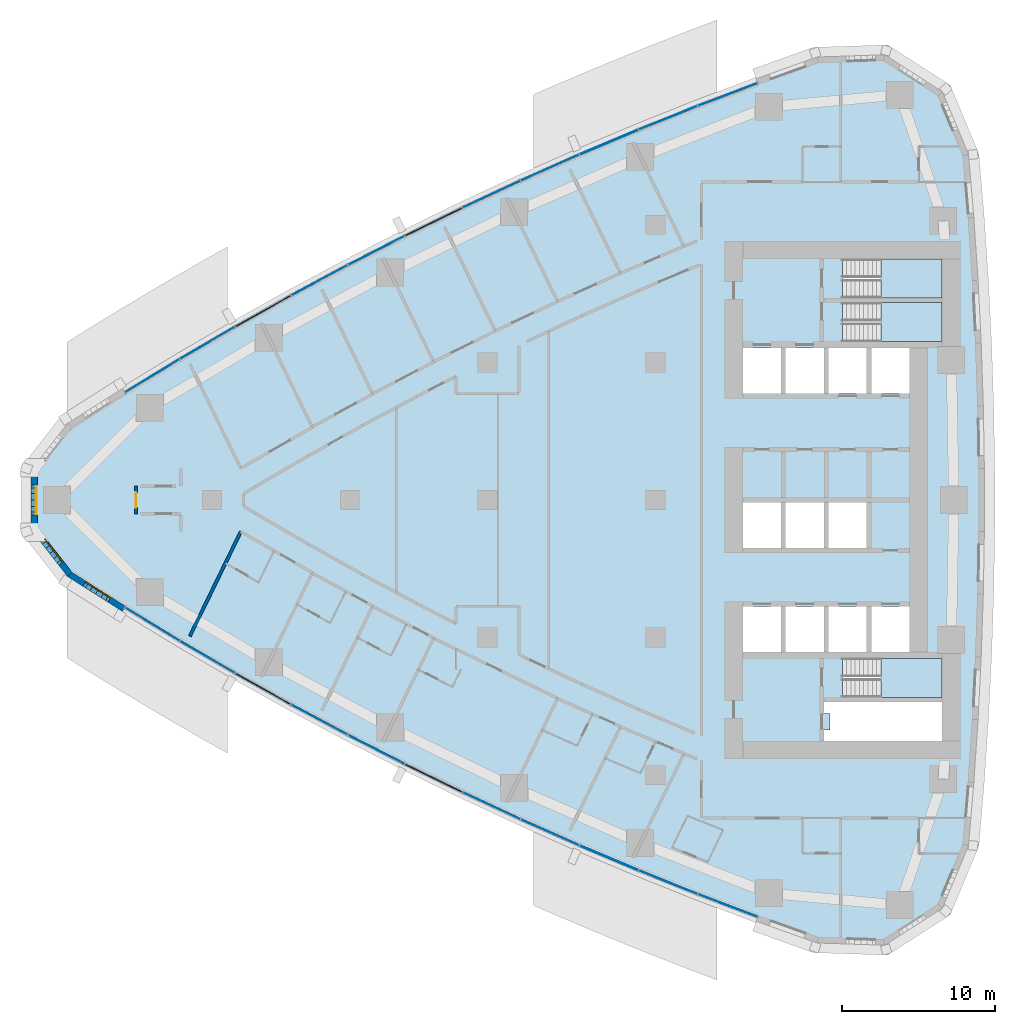
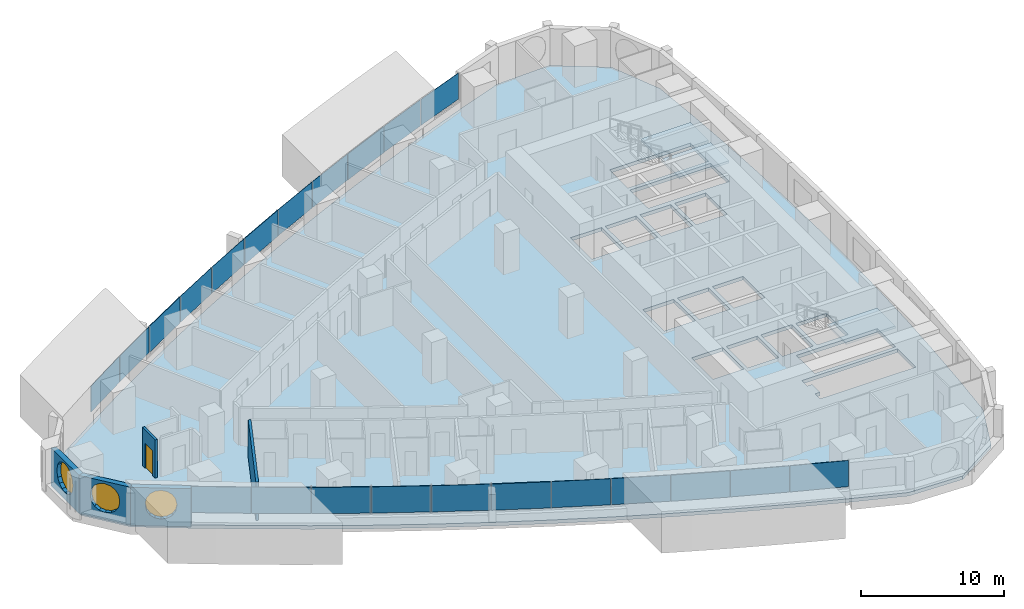
# One storey, part 8 of 19: 22 plates, 5 walls, 4 slabs, 3 windows, 1 door, 5 openings, 13 elements without a shape of their own.
"""IFC4 building model written with IfcOpenShell, lengths in metres."""

import ifcopenshell
import ifcopenshell.guid

model = None  # the IFC model being written
_history = None  # IfcOwnerHistory: only IFC2X3 demands one
_inside = {}  # id of a spatial element -> (the spatial element, [elements in it])
_under = {}  # id of a project, library or spatial element -> (it, [spatial elements below it])
_declared = {}  # id of a project -> (the project, [libraries it declares])
_typed = {}  # id of a type object -> (the type object, [elements of that type])
_made_of = {}  # id of a material, layer set ... -> (it, [elements and type objects made of it])


def new_model(schema):
    """Start an empty IFC model of exactly this schema.

    Asked for "IFC4X3", IfcOpenShell would pick the latest addendum, in which some entities
    have other attributes; the version numbers below select the first issue.
    IFC2X3 requires an IfcOwnerHistory on every rooted entity: one is made here for all.
    """
    global model, _history
    if schema == "IFC4X3":
        model = ifcopenshell.file(schema_version=(4, 3, 0, 0))
    else:
        model = ifcopenshell.file(schema=schema)
    _inside.clear()
    _under.clear()
    _declared.clear()
    _typed.clear()
    _made_of.clear()
    _history = None
    if model.schema == "IFC2X3":
        org = make("IfcOrganization", Name="unknown")
        user = make(
            "IfcPersonAndOrganization",
            ThePerson=make("IfcPerson", FamilyName="unknown"),
            TheOrganization=org,
        )
        app = make(
            "IfcApplication",
            ApplicationDeveloper=org,
            Version="unknown",
            ApplicationFullName="unknown",
            ApplicationIdentifier="unknown",
        )
        _history = make(
            "IfcOwnerHistory",
            OwningUser=user,
            OwningApplication=app,
            ChangeAction="ADDED",
            CreationDate=0,
        )
    return model


def make(cls, **values):
    """One entity of the class cls with the attributes given. An attribute that is None is left unset."""
    return model.create_entity(
        cls, **{name: value for name, value in values.items() if value is not None}
    )


def rooted(cls, **values):
    """An entity with a GlobalId (a new one), such as an element, a storey or a relation."""
    return make(cls, GlobalId=ifcopenshell.guid.new(), OwnerHistory=_history, **values)


def si_unit(unit_type, name, prefix=None):
    """IfcSIUnit, for example si_unit("LENGTHUNIT", "METRE", prefix="MILLI")."""
    return make("IfcSIUnit", UnitType=unit_type, Prefix=prefix, Name=name)


def assignment(units):
    """IfcUnitAssignment: the units of a project."""
    return None if units is None else make("IfcUnitAssignment", Units=units)


def point(xyz):
    """IfcCartesianPoint."""
    return None if xyz is None else make("IfcCartesianPoint", Coordinates=xyz)


def direction(xyz):
    """IfcDirection."""
    return None if xyz is None else make("IfcDirection", DirectionRatios=xyz)


def frame(location, z_axis=None, x_axis=None):
    """IfcAxis2Placement3D, a coordinate frame: its origin and axes. An axis left out is left unset."""
    return make(
        "IfcAxis2Placement3D",
        Location=point(location),
        Axis=direction(z_axis),
        RefDirection=direction(x_axis),
    )


def frame_2d(location, x_axis=None):
    """IfcAxis2Placement2D, a coordinate frame in the plane: its origin and x axis."""
    return make(
        "IfcAxis2Placement2D", Location=point(location), RefDirection=direction(x_axis)
    )


def origin():
    """The frame at (0, 0, 0) with its axes left unset."""
    return frame((0.0, 0.0, 0.0))


def origin_2d():
    """The frame at (0, 0) in the plane with its x axis left unset."""
    return frame_2d((0.0, 0.0))


def place(relative_to, where):
    """IfcLocalPlacement: puts the frame where relative to a parent placement (None: the world)."""
    return make(
        "IfcLocalPlacement", PlacementRelTo=relative_to, RelativePlacement=where
    )


def context(
    kind, dimensions, precision=None, world=None, true_north=None, identifier=None
):
    """IfcGeometricRepresentationContext, for example the 3D "Model" context."""
    return make(
        "IfcGeometricRepresentationContext",
        ContextIdentifier=identifier,
        ContextType=kind,
        CoordinateSpaceDimension=dimensions,
        Precision=precision,
        WorldCoordinateSystem=world,
        TrueNorth=true_north,
    )


def subcontext(parent, identifier, kind, view, scale=None):
    """IfcGeometricRepresentationSubContext, for example "Body" below "Model"."""
    return make(
        "IfcGeometricRepresentationSubContext",
        ContextIdentifier=identifier,
        ContextType=kind,
        ParentContext=parent,
        TargetScale=scale,
        TargetView=view,
    )


def project(units=None, contexts=None):
    """IfcProject with its units and contexts."""
    return rooted(
        "IfcProject",
        Name="project",
        RepresentationContexts=contexts,
        UnitsInContext=assignment(units),
    )


def spatial(cls, under=None, at=None, **own):
    """A site, building, storey or space (cls), placed at a placement, below another one or the project."""
    s = rooted(cls, ObjectPlacement=at, **own)
    if under is not None:
        _under.setdefault(under.id(), (under, []))[1].append(s)
    return s


def polyline(points):
    """IfcPolyline through the points."""
    return make("IfcPolyline", Points=[point(p) for p in points])


def profile(cls, at=None, kind="AREA", **sizes):
    """A parametric profile (cls). Its sizes go by their IFC names, for example OverallWidth=200.0."""
    return make(cls, ProfileType=kind, Position=at, **sizes)


def rectangle(**sizes):
    """IfcRectangleProfileDef."""
    return profile("IfcRectangleProfileDef", **sizes)


def outline(outer, holes=None, kind="AREA"):
    """IfcArbitraryClosedProfileDef: a profile drawn as a closed curve; with holes, ...WithVoids."""
    if holes is None:
        return make("IfcArbitraryClosedProfileDef", ProfileType=kind, OuterCurve=outer)
    return make(
        "IfcArbitraryProfileDefWithVoids",
        ProfileType=kind,
        OuterCurve=outer,
        InnerCurves=holes,
    )


def extrude(swept, where, along, depth):
    """IfcExtrudedAreaSolid: the profile swept, set in the frame where, extruded along a direction by depth."""
    return make(
        "IfcExtrudedAreaSolid",
        SweptArea=swept,
        Position=where,
        ExtrudedDirection=direction(along),
        Depth=depth,
    )


def shape(context_of_items, identifier, shape_type, items):
    """IfcShapeRepresentation: the items that make up one representation, for example the "Body"."""
    return make(
        "IfcShapeRepresentation",
        ContextOfItems=context_of_items,
        RepresentationIdentifier=identifier,
        RepresentationType=shape_type,
        Items=items,
    )


def material(Name=None, Category=None):
    """IfcMaterial."""
    return make("IfcMaterial", Name=Name, Category=Category)


def layer(
    of_material, thickness, ventilated=None, Name=None, Category=None, Priority=None
):
    """IfcMaterialLayer: one layer of a wall or slab, of a material (None: an air gap)."""
    return make(
        "IfcMaterialLayer",
        Material=of_material,
        LayerThickness=thickness,
        IsVentilated=ventilated,
        Name=Name,
        Category=Category,
        Priority=Priority,
    )


def layer_set(layers, Name=None):
    """IfcMaterialLayerSet."""
    return make("IfcMaterialLayerSet", MaterialLayers=layers, LayerSetName=Name)


def made_of(thing, what):
    """Note that an element or type object is made of a material, layer set ...; save() writes the relation."""
    if what is not None:
        _made_of.setdefault(what.id(), (what, []))[1].append(thing)
    return thing


def type_object(cls, material=None, **own):
    """A type object (cls), such as IfcWallType, which elements share."""
    return made_of(rooted(cls, **own), material)


def element(
    cls,
    number,
    at=None,
    inside=None,
    cuts=None,
    type_object=None,
    material=None,
    context=None,
    identifier="Body",
    shape_type=None,
    held_by="IfcProductDefinitionShape",
    body=None,
    shapes=None,
    **own,
):
    """One element of the class cls, such as IfcWall. Its Tag is "e" and its number.

    at: its placement. inside: the storey or other place that contains it. cuts: it is an
    opening in that element (IfcRelVoidsElement). A single representation is given by context,
    identifier, shape_type and body (its items); several are given by shapes. held_by: the class
    of the entity that holds the representations. save() writes the other relations.
    """
    e = rooted(cls, Tag="e%d" % number, ObjectPlacement=at, **own)
    if body is not None:
        shapes = [shape(context, identifier, shape_type, body)]
    if shapes is not None:
        e.Representation = make(held_by, Representations=shapes)
    if inside is not None:
        _inside.setdefault(inside.id(), (inside, []))[1].append(e)
    if cuts is not None:
        rooted(
            "IfcRelVoidsElement", RelatingBuildingElement=cuts, RelatedOpeningElement=e
        )
    if type_object is not None:
        _typed.setdefault(type_object.id(), (type_object, []))[1].append(e)
    return made_of(e, material)


def fill(opening, filler):
    """IfcRelFillsElement: the door or window that sits in an opening."""
    return rooted(
        "IfcRelFillsElement",
        RelatingOpeningElement=opening,
        RelatedBuildingElement=filler,
    )


def aggregate(whole, parts):
    """IfcRelAggregates: a whole, such as a stair, and the parts it consists of."""
    return rooted("IfcRelAggregates", RelatingObject=whole, RelatedObjects=parts)


def save(model, path):
    """Write the relations noted so far, then the file.

    IfcRelAggregates (storeys below a building ...), IfcRelContainedInSpatialStructure (elements
    in a storey), IfcRelDefinesByType, IfcRelAssociatesMaterial and IfcRelDeclares: one each for
    every whole, place, type object, material and project.
    """
    for whole, parts in _under.values():
        aggregate(whole, parts)
    for where, things in _inside.values():
        rooted(
            "IfcRelContainedInSpatialStructure",
            RelatedElements=things,
            RelatingStructure=where,
        )
    for kind, things in _typed.values():
        rooted("IfcRelDefinesByType", RelatedObjects=things, RelatingType=kind)
    for what, things in _made_of.values():
        rooted("IfcRelAssociatesMaterial", RelatedObjects=things, RelatingMaterial=what)
    for by, libraries in _declared.values():
        rooted("IfcRelDeclares", RelatingContext=by, RelatedDefinitions=libraries)
    model.write(path)


model = new_model("IFC4")

# Units and contexts
model_context = context("Model", 3, precision=1e-05, world=origin(), true_north=direction((0.0, 1.0)))
body_context = subcontext(model_context, "Body", "Model", "MODEL_VIEW")
ifc_project = project(units=[si_unit("LENGTHUNIT", "METRE"), si_unit("AREAUNIT", "SQUARE_METRE"), si_unit("VOLUMEUNIT", "CUBIC_METRE"), si_unit("PLANEANGLEUNIT", "RADIAN"), si_unit("MASSUNIT", "GRAM", prefix="KILO")], contexts=[model_context])

# Site, building, storey
site_placement = place(None, origin())
site = spatial("IfcSite", under=ifc_project, at=site_placement, CompositionType="ELEMENT")
building_placement = place(site_placement, origin())
building = spatial("IfcBuilding", under=site, at=building_placement, Name="Ostrand Prow Hotel Tower", CompositionType="ELEMENT")
storey_placement = place(building_placement, frame((0.0, 0.0, 46.699951171875)))
storey = spatial("IfcBuildingStorey", under=building, at=storey_placement, Name="L09", CompositionType="ELEMENT", Elevation=46.699951171875)

# Curtain wall, plates
ifc_material_1 = material(Name="Insulated glass in bronze anodised frame", Category="glass")
ifc_layer_1 = layer(ifc_material_1, 0.199951171875)
ifc_layer_set_1 = layer_set([ifc_layer_1], Name="Insulated glass in bronze anodised frame")
curtain_wall_type = type_object("IfcCurtainWallType", Name="Strip curtain wall, fritted glass over bronze spandrel", PredefinedType="NOTDEFINED", material=ifc_layer_set_1)
curtain_wall_1_placement = place(storey_placement, origin())
curtain_wall_1 = element("IfcCurtainWall", 1, at=curtain_wall_1_placement, inside=storey, type_object=curtain_wall_type, Name="CW1 run CWS1", PredefinedType="NOTDEFINED")
ifc_material_2 = material(Name="Ceramic-fritted glass", Category="glass")
ifc_layer_2 = layer(ifc_material_2, 0.031982421875)
ifc_layer_set_2 = layer_set([ifc_layer_2], Name="Ceramic-fritted glass")
plate_type_1 = type_object("IfcPlateType", Name="Dot-fritted ceramic glass unit 32 mm", PredefinedType="CURTAIN_PANEL", material=ifc_layer_set_2)
plate_1_placement = place(storey_placement, frame((12.0859375, -8.12158203125, 1.02001953125), z_axis=(0.0, 0.0, 1.0), x_axis=(0.854269266322, -0.519830761515, 0.0)))
plate_1 = element("IfcPlate", 2, at=plate_1_placement, type_object=plate_type_1, Name="CW1 PN-D panel 1.2", PredefinedType="CURTAIN_PANEL", context=body_context, shape_type="SweptSolid", body=[
    extrude(rectangle(XDim=4.13427734375, YDim=0.031982421875, at=origin_2d()), origin(), (0.0, 0.0, 1.0), 2.22998046875),
])
plate_2_placement = place(storey_placement, frame((15.688720703125, -10.268798828125, 1.02001953125), z_axis=(0.0, 0.0, 1.0), x_axis=(0.863690392896, -0.50402272292, 0.0)))
plate_2 = element("IfcPlate", 3, at=plate_2_placement, type_object=plate_type_1, Name="CW1 PN-D panel 2.2", PredefinedType="CURTAIN_PANEL", context=body_context, shape_type="SweptSolid", body=[
    extrude(rectangle(XDim=4.13427734375, YDim=0.031982421875, at=origin_2d()), origin(), (0.0, 0.0, 1.0), 2.22998046875),
])
aggregate(curtain_wall_1, [plate_1, plate_2])

curtain_wall_2_placement = place(storey_placement, origin())
curtain_wall_2 = element("IfcCurtainWall", 4, at=curtain_wall_2_placement, inside=storey, type_object=curtain_wall_type, Name="CW1 run CWS2", PredefinedType="NOTDEFINED")
plate_3_placement = place(storey_placement, frame((23.009765625, -14.362548828125, 1.02001953125), z_axis=(0.0, 0.0, 1.0), x_axis=(0.881652083929, -0.471899992481, 0.0)))
plate_3 = element("IfcPlate", 5, at=plate_3_placement, type_object=plate_type_1, Name="CW1 PN-D panel 2.2", PredefinedType="CURTAIN_PANEL", context=body_context, shape_type="SweptSolid", body=[
    extrude(rectangle(XDim=4.13427734375, YDim=0.031982421875, at=origin_2d()), origin(), (0.0, 0.0, 1.0), 2.22998046875),
])
plate_4_placement = place(storey_placement, frame((26.7255859375, -16.3076171875, 1.02001953125), z_axis=(0.0, 0.0, 1.0), x_axis=(0.890186565631, -0.455596179055, 0.0)))
plate_4 = element("IfcPlate", 6, at=plate_4_placement, type_object=plate_type_1, Name="CW1 PN-D panel 3.2", PredefinedType="CURTAIN_PANEL", context=body_context, shape_type="SweptSolid", body=[
    extrude(rectangle(XDim=4.13427734375, YDim=0.031982421875, at=origin_2d()), origin(), (0.0, 0.0, 1.0), 2.22998046875),
])

# Curtain wall, plate
curtain_wall_3_placement = place(storey_placement, origin())
curtain_wall_3 = element("IfcCurtainWall", 7, at=curtain_wall_3_placement, inside=storey, type_object=curtain_wall_type, Name="CW1 run CWS3", PredefinedType="NOTDEFINED")
plate_5_placement = place(storey_placement, frame((34.26123046875, -19.990966796875, 1.02001953125), z_axis=(0.0, 0.0, 1.0), x_axis=(0.906349088757, -0.422529678615, 0.0)))
plate_5 = element("IfcPlate", 8, at=plate_5_placement, type_object=plate_type_1, Name="CW1 PN-D panel 2.2", PredefinedType="CURTAIN_PANEL", context=body_context, shape_type="SweptSolid", body=[
    extrude(rectangle(XDim=4.13427734375, YDim=0.031982421875, at=origin_2d()), origin(), (0.0, 0.0, 1.0), 2.22998046875),
])

curtain_wall_4_placement = place(storey_placement, origin())
curtain_wall_4 = element("IfcCurtainWall", 9, at=curtain_wall_4_placement, inside=storey, type_object=curtain_wall_type, Name="CW1 run CWS4", PredefinedType="NOTDEFINED")
plate_6_placement = place(storey_placement, frame((38.078857421875, -21.72802734375, 1.02001953125), z_axis=(0.0, 0.0, 1.0), x_axis=(0.913970890274, -0.405779757666, 0.0)))
plate_6 = element("IfcPlate", 10, at=plate_6_placement, type_object=plate_type_1, Name="CW1 PN-D panel 1.2", PredefinedType="CURTAIN_PANEL", context=body_context, shape_type="SweptSolid", body=[
    extrude(rectangle(XDim=4.13427734375, YDim=0.031982421875, at=origin_2d()), origin(), (0.0, 0.0, 1.0), 2.22998046875),
])

# Curtain wall, plates
curtain_wall_5_placement = place(storey_placement, origin())
curtain_wall_5 = element("IfcCurtainWall", 11, at=curtain_wall_5_placement, inside=storey, type_object=curtain_wall_type, Name="CW1 run CWS5", PredefinedType="NOTDEFINED")
plate_7_placement = place(storey_placement, frame((45.806396484375, -24.989990234375, 1.02001953125), z_axis=(0.0, 0.0, 1.0), x_axis=(0.928283463577, -0.371873380669, 0.0)))
plate_7 = element("IfcPlate", 12, at=plate_7_placement, type_object=plate_type_1, Name="CW1 PN-D panel 1.2", PredefinedType="CURTAIN_PANEL", context=body_context, shape_type="SweptSolid", body=[
    extrude(rectangle(XDim=4.13427734375, YDim=0.031982421875, at=origin_2d()), origin(), (0.0, 0.0, 1.0), 2.22998046875),
])
plate_8_placement = place(storey_placement, frame((49.7138671875, -26.513671875, 1.02001953125), z_axis=(0.0, 0.0, 1.0), x_axis=(0.934969388384, -0.354728407072, 0.0)))
plate_8 = element("IfcPlate", 13, at=plate_8_placement, type_object=plate_type_1, Name="CW1 PN-D panel 2.2", PredefinedType="CURTAIN_PANEL", context=body_context, shape_type="SweptSolid", body=[
    extrude(rectangle(XDim=4.13427734375, YDim=0.031982421875, at=origin_2d()), origin(), (0.0, 0.0, 1.0), 2.22998046875),
])
aggregate(curtain_wall_5, [plate_7, plate_8])

curtain_wall_6_placement = place(storey_placement, origin())
curtain_wall_6 = element("IfcCurtainWall", 14, at=curtain_wall_6_placement, inside=storey, type_object=curtain_wall_type, Name="CW1 run CWN1", PredefinedType="NOTDEFINED")
plate_9_placement = place(storey_placement, frame((49.7138671875, 26.513671875, 1.02001953125), z_axis=(0.0, 0.0, 1.0), x_axis=(-0.934969388384, -0.354728407072, 0.0)))
plate_9 = element("IfcPlate", 15, at=plate_9_placement, type_object=plate_type_1, Name="CW1 PN-D panel 1.2", PredefinedType="CURTAIN_PANEL", context=body_context, shape_type="SweptSolid", body=[
    extrude(rectangle(XDim=4.13427734375, YDim=0.031982421875, at=origin_2d()), origin(), (0.0, 0.0, 1.0), 2.22998046875),
])
plate_10_placement = place(storey_placement, frame((45.806396484375, 24.989990234375, 1.02001953125), z_axis=(0.0, 0.0, 1.0), x_axis=(-0.928283463577, -0.371873380669, 0.0)))
plate_10 = element("IfcPlate", 16, at=plate_10_placement, type_object=plate_type_1, Name="CW1 PN-D panel 2.2", PredefinedType="CURTAIN_PANEL", context=body_context, shape_type="SweptSolid", body=[
    extrude(rectangle(XDim=4.13427734375, YDim=0.031982421875, at=origin_2d()), origin(), (0.0, 0.0, 1.0), 2.22998046875),
])
aggregate(curtain_wall_6, [plate_9, plate_10])

# Curtain wall, plate
curtain_wall_7_placement = place(storey_placement, origin())
curtain_wall_7 = element("IfcCurtainWall", 17, at=curtain_wall_7_placement, inside=storey, type_object=curtain_wall_type, Name="CW1 run CWN2", PredefinedType="NOTDEFINED")
plate_11_placement = place(storey_placement, frame((38.078857421875, 21.72802734375, 1.02001953125), z_axis=(0.0, 0.0, 1.0), x_axis=(-0.913970890274, -0.405779757666, 0.0)))
plate_11 = element("IfcPlate", 18, at=plate_11_placement, type_object=plate_type_1, Name="CW1 PN-D panel 2.2", PredefinedType="CURTAIN_PANEL", context=body_context, shape_type="SweptSolid", body=[
    extrude(rectangle(XDim=4.13427734375, YDim=0.031982421875, at=origin_2d()), origin(), (0.0, 0.0, 1.0), 2.22998046875),
])

curtain_wall_8_placement = place(storey_placement, origin())
curtain_wall_8 = element("IfcCurtainWall", 19, at=curtain_wall_8_placement, inside=storey, type_object=curtain_wall_type, Name="CW1 run CWN3", PredefinedType="NOTDEFINED")
plate_12_placement = place(storey_placement, frame((34.26123046875, 19.990966796875, 1.02001953125), z_axis=(0.0, 0.0, 1.0), x_axis=(-0.906349088757, -0.422529678615, 0.0)))
plate_12 = element("IfcPlate", 20, at=plate_12_placement, type_object=plate_type_1, Name="CW1 PN-D panel 1.2", PredefinedType="CURTAIN_PANEL", context=body_context, shape_type="SweptSolid", body=[
    extrude(rectangle(XDim=4.13427734375, YDim=0.031982421875, at=origin_2d()), origin(), (0.0, 0.0, 1.0), 2.22998046875),
])

# Curtain wall, plates
curtain_wall_9_placement = place(storey_placement, origin())
curtain_wall_9 = element("IfcCurtainWall", 21, at=curtain_wall_9_placement, inside=storey, type_object=curtain_wall_type, Name="CW1 run CWN4", PredefinedType="NOTDEFINED")
plate_13_placement = place(storey_placement, frame((26.7255859375, 16.3076171875, 1.02001953125), z_axis=(0.0, 0.0, 1.0), x_axis=(-0.890186565631, -0.455596179055, 0.0)))
plate_13 = element("IfcPlate", 22, at=plate_13_placement, type_object=plate_type_1, Name="CW1 PN-D panel 1.2", PredefinedType="CURTAIN_PANEL", context=body_context, shape_type="SweptSolid", body=[
    extrude(rectangle(XDim=4.13427734375, YDim=0.031982421875, at=origin_2d()), origin(), (0.0, 0.0, 1.0), 2.22998046875),
])
plate_14_placement = place(storey_placement, frame((23.009765625, 14.362548828125, 1.02001953125), z_axis=(0.0, 0.0, 1.0), x_axis=(-0.881652083929, -0.471899992481, 0.0)))
plate_14 = element("IfcPlate", 23, at=plate_14_placement, type_object=plate_type_1, Name="CW1 PN-D panel 2.2", PredefinedType="CURTAIN_PANEL", context=body_context, shape_type="SweptSolid", body=[
    extrude(rectangle(XDim=4.13427734375, YDim=0.031982421875, at=origin_2d()), origin(), (0.0, 0.0, 1.0), 2.22998046875),
])

curtain_wall_10_placement = place(storey_placement, origin())
curtain_wall_10 = element("IfcCurtainWall", 24, at=curtain_wall_10_placement, inside=storey, type_object=curtain_wall_type, Name="CW1 run CWN5", PredefinedType="NOTDEFINED")
plate_15_placement = place(storey_placement, frame((15.688720703125, 10.268798828125, 1.02001953125), z_axis=(0.0, 0.0, 1.0), x_axis=(-0.863690392896, -0.50402272292, 0.0)))
plate_15 = element("IfcPlate", 25, at=plate_15_placement, type_object=plate_type_1, Name="CW1 PN-D panel 1.2", PredefinedType="CURTAIN_PANEL", context=body_context, shape_type="SweptSolid", body=[
    extrude(rectangle(XDim=4.13427734375, YDim=0.031982421875, at=origin_2d()), origin(), (0.0, 0.0, 1.0), 2.22998046875),
])
plate_16_placement = place(storey_placement, frame((12.0859375, 8.12158203125, 1.02001953125), z_axis=(0.0, 0.0, 1.0), x_axis=(-0.854269266322, -0.519830761515, 0.0)))
plate_16 = element("IfcPlate", 26, at=plate_16_placement, type_object=plate_type_1, Name="CW1 PN-D panel 2.2", PredefinedType="CURTAIN_PANEL", context=body_context, shape_type="SweptSolid", body=[
    extrude(rectangle(XDim=4.13427734375, YDim=0.031982421875, at=origin_2d()), origin(), (0.0, 0.0, 1.0), 2.22998046875),
])
aggregate(curtain_wall_10, [plate_15, plate_16])

# Plate
ifc_material_3 = material(Name="Fritted glass in bronze vent frame", Category="glass")
ifc_layer_3 = layer(ifc_material_3, 0.06005859375)
ifc_layer_set_3 = layer_set([ifc_layer_3], Name="Fritted glass in bronze vent frame")
plate_type_2 = type_object("IfcPlateType", Name="Operable vent panel 60 mm", PredefinedType="CURTAIN_PANEL", material=ifc_layer_set_3)
plate_17_placement = place(storey_placement, frame((19.33056640625, -12.349365234375, 1.02001953125), z_axis=(0.0, 0.0, 1.0), x_axis=(0.872819029241, -0.488043996167, 0.0)))
plate_17 = element("IfcPlate", 27, at=plate_17_placement, type_object=plate_type_2, Name="CW1 PN-O panel 1.2", PredefinedType="CURTAIN_PANEL", context=body_context, shape_type="SweptSolid", body=[
    extrude(rectangle(XDim=4.13427734375, YDim=0.06005859375, at=origin_2d()), origin(), (0.0, 0.0, 1.0), 2.22998046875),
])

aggregate(curtain_wall_2, [plate_17, plate_3, plate_4])

plate_18_placement = place(storey_placement, frame((30.4765625, -18.183837890625, 1.02001953125), z_axis=(0.0, 0.0, 1.0), x_axis=(0.898419584131, -0.439138077204, 0.0)))
plate_18 = element("IfcPlate", 28, at=plate_18_placement, type_object=plate_type_2, Name="CW1 PN-O panel 1.2", PredefinedType="CURTAIN_PANEL", context=body_context, shape_type="SweptSolid", body=[
    extrude(rectangle(XDim=4.13427734375, YDim=0.06005859375, at=origin_2d()), origin(), (0.0, 0.0, 1.0), 2.22998046875),
])

aggregate(curtain_wall_3, [plate_18, plate_5])

plate_19_placement = place(storey_placement, frame((41.927490234375, -23.39453125, 1.02001953125), z_axis=(0.0, 0.0, 1.0), x_axis=(0.921283173987, -0.388892418709, 0.0)))
plate_19 = element("IfcPlate", 29, at=plate_19_placement, type_object=plate_type_2, Name="CW1 PN-O panel 2.2", PredefinedType="CURTAIN_PANEL", context=body_context, shape_type="SweptSolid", body=[
    extrude(rectangle(XDim=4.13427734375, YDim=0.06005859375, at=origin_2d()), origin(), (0.0, 0.0, 1.0), 2.22998046875),
])

aggregate(curtain_wall_4, [plate_6, plate_19])

plate_20_placement = place(storey_placement, frame((41.927490234375, 23.39453125, 1.02001953125), z_axis=(0.0, 0.0, 1.0), x_axis=(-0.921283173987, -0.388892418709, 0.0)))
plate_20 = element("IfcPlate", 30, at=plate_20_placement, type_object=plate_type_2, Name="CW1 PN-O panel 1.2", PredefinedType="CURTAIN_PANEL", context=body_context, shape_type="SweptSolid", body=[
    extrude(rectangle(XDim=4.13427734375, YDim=0.06005859375, at=origin_2d()), origin(), (0.0, 0.0, 1.0), 2.22998046875),
])

aggregate(curtain_wall_7, [plate_20, plate_11])

plate_21_placement = place(storey_placement, frame((30.4765625, 18.183837890625, 1.02001953125), z_axis=(0.0, 0.0, 1.0), x_axis=(-0.898419584131, -0.439138077204, 0.0)))
plate_21 = element("IfcPlate", 31, at=plate_21_placement, type_object=plate_type_2, Name="CW1 PN-O panel 2.2", PredefinedType="CURTAIN_PANEL", context=body_context, shape_type="SweptSolid", body=[
    extrude(rectangle(XDim=4.13427734375, YDim=0.06005859375, at=origin_2d()), origin(), (0.0, 0.0, 1.0), 2.22998046875),
])

aggregate(curtain_wall_8, [plate_12, plate_21])

plate_22_placement = place(storey_placement, frame((19.33056640625, 12.349365234375, 1.02001953125), z_axis=(0.0, 0.0, 1.0), x_axis=(-0.872819029241, -0.488043996167, 0.0)))
plate_22 = element("IfcPlate", 32, at=plate_22_placement, type_object=plate_type_2, Name="CW1 PN-O panel 3.2", PredefinedType="CURTAIN_PANEL", context=body_context, shape_type="SweptSolid", body=[
    extrude(rectangle(XDim=4.13427734375, YDim=0.06005859375, at=origin_2d()), origin(), (0.0, 0.0, 1.0), 2.22998046875),
])

aggregate(curtain_wall_9, [plate_13, plate_14, plate_22])

# Slab, opening
ifc_material_4 = material(Name="Concrete C40/50", Category="concrete")
ifc_layer_4 = layer(ifc_material_4, 0.300048828125)
ifc_layer_set_4 = layer_set([ifc_layer_4], Name="Concrete C40/50")
slab_type_1 = type_object("IfcSlabType", Name="PT flat plate 300 C40/50", PredefinedType="FLOOR", material=ifc_layer_set_4)
slab_1_placement = place(storey_placement, frame((0.0, 0.0, -0.300048828125)))
slab_1 = element("IfcSlab", 33, at=slab_1_placement, inside=storey, type_object=slab_type_1, Name="Floor slab L09-1", PredefinedType="FLOOR", context=body_context, shape_type="SweptSolid", body=[
    extrude(outline(polyline([(6.690673828125, 4.805908203125), (10.26806640625, 7.073974609375), (13.851806640625, 9.2548828125), (17.47509765625, 11.369384765625), (21.136962890625, 13.416748046875), (24.83544921875, 15.396484375), (28.570068359375, 17.3076171875), (32.339111328125, 19.14990234375), (36.141357421875, 20.922607421875), (39.9755859375, 22.625), (43.840576171875, 24.25634765625), (47.73486328125, 25.81640625), (51.6572265625, 27.3046875), (55.64111328125, 28.73291015625), (59.92333984375, 28.873046875), (63.55908203125, 26.53369140625), (65.2060546875, 22.578369140625), (65.552978515625, 18.45166015625), (65.828369140625, 14.356689453125), (66.034912109375, 10.2578125), (66.172607421875, 6.15576171875), (66.241455078125, 2.052001953125), (66.241455078125, -2.052001953125), (66.172607421875, -6.15576171875), (66.034912109375, -10.2578125), (65.828369140625, -14.356689453125), (65.552978515625, -18.45166015625), (65.2060546875, -22.578369140625), (63.55908203125, -26.53369140625), (59.92333984375, -28.873046875), (55.64111328125, -28.73291015625), (51.6572265625, -27.3046875), (47.73486328125, -25.81640625), (43.840576171875, -24.25634765625), (39.9755859375, -22.625), (36.141357421875, -20.922607421875), (32.339111328125, -19.14990234375), (28.570068359375, -17.3076171875), (24.83544921875, -15.396484375), (21.136962890625, -13.416748046875), (17.47509765625, -11.369384765625), (13.851806640625, -9.2548828125), (10.26806640625, -7.073974609375), (6.690673828125, -4.805908203125), (4.399169921875, -1.8798828125), (4.399169921875, 1.8798828125), (6.690673828125, 4.805908203125)]), holes=[polyline([(50.699951171875, 6.949951171875), (53.199951171875, 6.949951171875), (53.199951171875, 9.949951171875), (50.699951171875, 9.949951171875), (50.699951171875, 6.949951171875)]), polyline([(53.5, 6.949951171875), (56.0, 6.949951171875), (56.0, 9.949951171875), (53.5, 9.949951171875), (53.5, 6.949951171875)]), polyline([(56.300048828125, 6.949951171875), (58.800048828125, 6.949951171875), (58.800048828125, 9.949951171875), (56.300048828125, 9.949951171875), (56.300048828125, 6.949951171875)]), polyline([(59.10009765625, 6.949951171875), (61.60009765625, 6.949951171875), (61.60009765625, 9.949951171875), (59.10009765625, 9.949951171875), (59.10009765625, 6.949951171875)]), polyline([(50.699951171875, -3.14990234375), (53.199951171875, -3.14990234375), (53.199951171875, -0.14990234375), (50.699951171875, -0.14990234375), (50.699951171875, -3.14990234375)]), polyline([(53.5, -3.14990234375), (56.0, -3.14990234375), (56.0, -0.14990234375), (53.5, -0.14990234375), (53.5, -3.14990234375)]), polyline([(56.300048828125, -3.14990234375), (58.800048828125, -3.14990234375), (58.800048828125, -0.14990234375), (56.300048828125, -0.14990234375), (56.300048828125, -3.14990234375)]), polyline([(50.699951171875, -9.949951171875), (53.199951171875, -9.949951171875), (53.199951171875, -6.949951171875), (50.699951171875, -6.949951171875), (50.699951171875, -9.949951171875)]), polyline([(53.5, -9.949951171875), (56.0, -9.949951171875), (56.0, -6.949951171875), (53.5, -6.949951171875), (53.5, -9.949951171875)]), polyline([(56.300048828125, -9.949951171875), (58.800048828125, -9.949951171875), (58.800048828125, -6.949951171875), (56.300048828125, -6.949951171875), (56.300048828125, -9.949951171875)]), polyline([(59.10009765625, -9.949951171875), (61.60009765625, -9.949951171875), (61.60009765625, -6.949951171875), (59.10009765625, -6.949951171875), (59.10009765625, -9.949951171875)]), polyline([(57.200927734375, 10.35107421875), (57.200927734375, 12.89892578125), (63.718994140625, 12.89892578125), (63.718994140625, 10.35107421875), (57.200927734375, 10.35107421875)]), polyline([(57.200927734375, 13.200927734375), (57.200927734375, 15.7490234375), (63.718994140625, 15.7490234375), (63.718994140625, 13.200927734375), (57.200927734375, 13.200927734375)]), polyline([(57.200927734375, -12.89892578125), (57.200927734375, -10.35107421875), (63.718994140625, -10.35107421875), (63.718994140625, -12.89892578125), (57.200927734375, -12.89892578125)]), polyline([(56.0, -13.199951171875), (63.719970703125, -13.199951171875), (63.719970703125, -15.75), (56.0, -15.75), (56.0, -15.050048828125), (56.39990234375, -15.050048828125), (56.39990234375, -13.949951171875), (56.0, -13.949951171875), (56.0, -13.199951171875)])]), origin(), (0.0, 0.0, 1.0), 0.300048828125),
])
opening_1_placement = place(slab_1_placement, origin())
element("IfcOpeningElement", 34, at=opening_1_placement, cuts=slab_1, Name="Shaft opening 1", PredefinedType="OPENING", context=body_context, shape_type="SweptSolid", body=[
    extrude(outline(polyline([(56.0, -13.199951171875), (63.719970703125, -13.199951171875), (63.719970703125, -15.75), (56.0, -15.75), (56.0, -15.050048828125), (56.39990234375, -15.050048828125), (56.39990234375, -13.949951171875), (56.0, -13.949951171875), (56.0, -13.199951171875)])), origin(), (0.0, 0.0, 1.0), 0.300048828125),
])

# Stair, slab
ifc_material_5 = material(Name="Concrete C40/50", Category="concrete")
stair_type = type_object("IfcStairType", Name="Exit stair 1200 upper zone", PredefinedType="HALF_TURN_STAIR", material=ifc_material_5)
stair_1_placement = place(storey_placement, origin())
stair_1 = element("IfcStair", 35, at=stair_1_placement, inside=storey, type_object=stair_type, Name="L09 ST1C", PredefinedType="HALF_TURN_STAIR")
ifc_material_6 = material(Name="Concrete C40/50", Category="concrete")
ifc_layer_5 = layer(ifc_material_6, 0.199951171875)
ifc_layer_set_5 = layer_set([ifc_layer_5], Name="Concrete C40/50")
slab_type_2 = type_object("IfcSlabType", Name="Stair landing 200 concrete", PredefinedType="LANDING", material=ifc_layer_set_5)
slab_2_placement = place(storey_placement, frame((0.0, 0.0, 1.574951171875)))
slab_2 = element("IfcSlab", 36, at=slab_2_placement, type_object=slab_type_2, Name="ST1C landing 1", PredefinedType="LANDING", context=body_context, shape_type="SweptSolid", body=[
    extrude(outline(polyline([(59.719970703125, 10.35009765625), (63.719970703125, 10.35009765625), (63.719970703125, 12.89990234375), (59.719970703125, 12.89990234375), (59.719970703125, 10.35009765625)])), origin(), (0.0, 0.0, 1.0), 0.2001953125),
])
aggregate(stair_1, [slab_2])

stair_2_placement = place(storey_placement, origin())
stair_2 = element("IfcStair", 37, at=stair_2_placement, inside=storey, type_object=stair_type, Name="L09 ST3C", PredefinedType="HALF_TURN_STAIR")
slab_3_placement = place(storey_placement, frame((0.0, 0.0, 1.574951171875)))
slab_3 = element("IfcSlab", 38, at=slab_3_placement, type_object=slab_type_2, Name="ST3C landing 1", PredefinedType="LANDING", context=body_context, shape_type="SweptSolid", body=[
    extrude(outline(polyline([(59.719970703125, 13.199951171875), (63.719970703125, 13.199951171875), (63.719970703125, 15.75), (59.719970703125, 15.75), (59.719970703125, 13.199951171875)])), origin(), (0.0, 0.0, 1.0), 0.2001953125),
])
aggregate(stair_2, [slab_3])

stair_3_placement = place(storey_placement, origin())
stair_3 = element("IfcStair", 39, at=stair_3_placement, inside=storey, type_object=stair_type, Name="L09 ST2C", PredefinedType="HALF_TURN_STAIR")
slab_4_placement = place(storey_placement, frame((0.0, 0.0, 1.574951171875)))
slab_4 = element("IfcSlab", 40, at=slab_4_placement, type_object=slab_type_2, Name="ST2C landing 1", PredefinedType="LANDING", context=body_context, shape_type="SweptSolid", body=[
    extrude(outline(polyline([(59.719970703125, -12.89990234375), (63.719970703125, -12.89990234375), (63.719970703125, -10.35009765625), (59.719970703125, -10.35009765625), (59.719970703125, -12.89990234375)])), origin(), (0.0, 0.0, 1.0), 0.2001953125),
])
aggregate(stair_3, [slab_4])

# Wall
ifc_material_7 = material(Name="Plasterboard partition")
ifc_layer_6 = layer(ifc_material_7, 0.199951171875)
ifc_layer_set_6 = layer_set([ifc_layer_6], Name="Plasterboard partition")
wall_type_1 = type_object("IfcWallType", Name="Partition 200 key partition", PredefinedType="PARTITIONING", material=ifc_layer_set_6)
wall_1_placement = place(storey_placement, frame((14.540771484375, -8.904296875, 0.0), z_axis=(0.0, 0.0, 1.0), x_axis=(0.438213564788, 0.898870887078, 0.0)))
element("IfcWall", 41, at=wall_1_placement, inside=storey, type_object=wall_type_1, Name="KEY PARTITION", PredefinedType="PARTITIONING", context=body_context, shape_type="SweptSolid", body=[
    extrude(rectangle(XDim=7.62548828125, YDim=0.199951171875, at=frame_2d((3.812744140625, 0.0))), origin(), (0.0, 0.0, 1.0), 3.25),
])

# Wall, opening, door
ifc_material_8 = material(Name="Plasterboard partition")
ifc_layer_7 = layer(ifc_material_8, 0.199951171875)
ifc_layer_set_7 = layer_set([ifc_layer_7], Name="Plasterboard partition")
wall_type_2 = type_object("IfcWallType", Name="Partition 200 lounge wall", PredefinedType="PARTITIONING", material=ifc_layer_set_7)
wall_2_placement = place(storey_placement, frame((11.02734375, -0.89990234375, 0.0), z_axis=(0.0, 0.0, 1.0), x_axis=(0.0, 1.0, 0.0)))
wall_2 = element("IfcWall", 42, at=wall_2_placement, inside=storey, type_object=wall_type_2, Name="LOUNGE WALL", PredefinedType="PARTITIONING", context=body_context, shape_type="SweptSolid", body=[
    extrude(rectangle(XDim=1.7998046875, YDim=0.199951171875, at=frame_2d((0.89990234375, 0.0))), origin(), (0.0, 0.0, 1.0), 3.25),
])
opening_2_placement = place(wall_2_placement, frame((0.39990234375, 0.0, 0.0)))
opening_2 = element("IfcOpeningElement", 43, at=opening_2_placement, cuts=wall_2, Name="Opening D1", PredefinedType="OPENING", context=body_context, shape_type="SweptSolid", body=[
    extrude(rectangle(XDim=1.0, YDim=2.10009765625, at=frame_2d((0.5, 1.050048828125))), frame((0.0, 0.10986328125, 0.0), z_axis=(0.0, -1.0, 0.0), x_axis=(1.0, 0.0, 0.0)), (0.0, 0.0, 1.0), 0.219970703125),
])
ifc_material_9 = material(Name="Timber door leaf", Category="wood")
door_type = type_object("IfcDoorType", Name="Guest room door 1000", OperationType="SINGLE_SWING_LEFT", PredefinedType="DOOR", material=ifc_material_9)
door_placement = place(opening_2_placement, origin())
door = element("IfcDoor", 44, at=door_placement, inside=storey, type_object=door_type, Name="DOOR", OperationType="SINGLE_SWING_LEFT", OverallHeight=2.10009765625, OverallWidth=1.0, PredefinedType="DOOR", context=body_context, shape_type="SweptSolid", body=[
    extrude(rectangle(XDim=1.0, YDim=2.10009765625, at=frame_2d((0.5, 1.050048828125))), frame((0.0, 0.02490234375, 0.0), z_axis=(0.0, -1.0, 0.0), x_axis=(1.0, 0.0, 0.0)), (0.0, 0.0, 1.0), 0.050048828125),
])
fill(opening_2, door)

# Wall, opening, window
ifc_material_10 = material(Name="Precast concrete C40/50", Category="concrete")
ifc_layer_8 = layer(ifc_material_10, 0.39990234375)
ifc_layer_set_8 = layer_set([ifc_layer_8], Name="Precast concrete C40/50")
wall_type_3 = type_object("IfcWallType", Name="Stone-faced precast wall 400 mm", PredefinedType="NOTDEFINED", material=ifc_layer_set_8)
wall_3_placement = place(storey_placement, frame((4.365478515625, 1.891357421875, 0.0), z_axis=(0.0, 0.0, 1.0), x_axis=(0.0, -1.0, 0.0)))
wall_3 = element("IfcWall", 45, at=wall_3_placement, inside=storey, type_object=wall_type_3, Name="Stone-faced wall prow 3", PredefinedType="NOTDEFINED", context=body_context, shape_type="SweptSolid", body=[
    extrude(outline(polyline([(-0.069091796875, -0.199951171875), (3.851806640625, -0.199951171875), (3.713623046875, 0.199951171875), (0.069091796875, 0.199951171875), (-0.069091796875, -0.199951171875)])), origin(), (0.0, 0.0, 1.0), 3.25),
])
opening_3_placement = place(wall_3_placement, frame((0.79150390625, 0.0, 0.60009765625)))
opening_3 = element("IfcOpeningElement", 46, at=opening_3_placement, cuts=wall_3, Name="Opening WP2", PredefinedType="OPENING", context=body_context, shape_type="SweptSolid", body=[
    extrude(outline(polyline([(0.0, 1.35009765625), (0.083740234375, 1.77099609375), (0.322265625, 2.127685546875), (0.678955078125, 2.3662109375), (1.10009765625, 2.449951171875), (1.52099609375, 2.3662109375), (1.877685546875, 2.127685546875), (2.1162109375, 1.77099609375), (2.199951171875, 1.35009765625), (2.199951171875, 1.10009765625), (2.1162109375, 0.678955078125), (1.877685546875, 0.322265625), (1.52099609375, 0.083740234375), (1.10009765625, 0.0), (0.678955078125, 0.083740234375), (0.322265625, 0.322265625), (0.083740234375, 0.678955078125), (0.0, 1.099853515625), (0.0, 1.35009765625)])), frame((0.0, 0.2099609375, 0.0), z_axis=(0.0, -1.0, 0.0), x_axis=(1.0, 0.0, 0.0)), (0.0, 0.0, 1.0), 0.419921875),
])
ifc_material_11 = material(Name="Insulated glass in bronze frame", Category="glass")
window_type = type_object("IfcWindowType", Name="Round-ended prow lounge window 2200x2450", PartitioningType="SINGLE_PANEL", PredefinedType="WINDOW", material=ifc_material_11)
window_1_placement = place(opening_3_placement, origin())
window_1 = element("IfcWindow", 47, at=window_1_placement, inside=storey, type_object=window_type, Name="Window prow 3.1", OverallHeight=2.449951171875, OverallWidth=2.199951171875, PartitioningType="SINGLE_PANEL", PredefinedType="WINDOW", context=body_context, shape_type="SweptSolid", body=[
    extrude(outline(polyline([(0.0, 1.35009765625), (0.083740234375, 1.77099609375), (0.322265625, 2.127685546875), (0.678955078125, 2.3662109375), (1.10009765625, 2.449951171875), (1.52099609375, 2.3662109375), (1.877685546875, 2.127685546875), (2.1162109375, 1.77099609375), (2.199951171875, 1.35009765625), (2.199951171875, 1.10009765625), (2.1162109375, 0.678955078125), (1.877685546875, 0.322265625), (1.52099609375, 0.083740234375), (1.10009765625, 0.0), (0.678955078125, 0.083740234375), (0.322265625, 0.322265625), (0.083740234375, 0.678955078125), (0.0, 1.099853515625), (0.0, 1.35009765625)])), frame((0.0, 0.169921875, 0.0), z_axis=(0.0, -1.0, 0.0), x_axis=(1.0, 0.0, 0.0)), (0.0, 0.0, 1.0), 0.06005859375),
])
fill(opening_3, window_1)

wall_4_placement = place(storey_placement, frame((4.365478515625, -1.891357421875, 0.0), z_axis=(0.0, 0.0, 1.0), x_axis=(0.616586647779, -0.787287054245, 0.0)))
wall_4 = element("IfcWall", 48, at=wall_4_placement, inside=storey, type_object=wall_type_3, Name="Stone-faced wall prow 4", PredefinedType="NOTDEFINED", context=body_context, shape_type="SweptSolid", body=[
    extrude(outline(polyline([(-0.069091796875, -0.199951171875), (3.8173828125, -0.199951171875), (3.74853515625, 0.199951171875), (0.069091796875, 0.199951171875), (-0.069091796875, -0.199951171875)])), origin(), (0.0, 0.0, 1.0), 3.25),
])
opening_4_placement = place(wall_4_placement, frame((0.79150390625, 0.0, 0.60009765625)))
opening_4 = element("IfcOpeningElement", 49, at=opening_4_placement, cuts=wall_4, Name="Opening WP2", PredefinedType="OPENING", context=body_context, shape_type="SweptSolid", body=[
    extrude(outline(polyline([(0.0, 1.35009765625), (0.083740234375, 1.77099609375), (0.322265625, 2.127685546875), (0.678955078125, 2.3662109375), (1.10009765625, 2.449951171875), (1.52099609375, 2.3662109375), (1.877685546875, 2.127685546875), (2.1162109375, 1.77099609375), (2.199951171875, 1.35009765625), (2.199951171875, 1.10009765625), (2.1162109375, 0.678955078125), (1.877685546875, 0.322265625), (1.52099609375, 0.083740234375), (1.10009765625, 0.0), (0.678955078125, 0.083740234375), (0.322265625, 0.322265625), (0.083740234375, 0.678955078125), (0.0, 1.099853515625), (0.0, 1.35009765625)])), frame((0.0, 0.2099609375, 0.0), z_axis=(0.0, -1.0, 0.0), x_axis=(1.0, 0.0, 0.0)), (0.0, 0.0, 1.0), 0.419921875),
])
window_2_placement = place(opening_4_placement, origin())
window_2 = element("IfcWindow", 50, at=window_2_placement, inside=storey, type_object=window_type, Name="Window prow 4.1", OverallHeight=2.449951171875, OverallWidth=2.199951171875, PartitioningType="SINGLE_PANEL", PredefinedType="WINDOW", context=body_context, shape_type="SweptSolid", body=[
    extrude(outline(polyline([(0.0, 1.35009765625), (0.083740234375, 1.77099609375), (0.322265625, 2.127685546875), (0.678955078125, 2.3662109375), (1.10009765625, 2.449951171875), (1.52099609375, 2.3662109375), (1.877685546875, 2.127685546875), (2.1162109375, 1.77099609375), (2.199951171875, 1.35009765625), (2.199951171875, 1.10009765625), (2.1162109375, 0.678955078125), (1.877685546875, 0.322265625), (1.52099609375, 0.083740234375), (1.10009765625, 0.0), (0.678955078125, 0.083740234375), (0.322265625, 0.322265625), (0.083740234375, 0.678955078125), (0.0, 1.099853515625), (0.0, 1.35009765625)])), frame((0.0, 0.169921875, 0.0), z_axis=(0.0, -1.0, 0.0), x_axis=(1.0, 0.0, 0.0)), (0.0, 0.0, 1.0), 0.06005859375),
])
fill(opening_4, window_2)

wall_5_placement = place(storey_placement, frame((6.697998046875, -4.86962890625, 0.0), z_axis=(0.0, 0.0, 1.0), x_axis=(0.844551578623, -0.535474211372, 0.0)))
wall_5 = element("IfcWall", 51, at=wall_5_placement, inside=storey, type_object=wall_type_3, Name="Stone-faced wall prow 5", PredefinedType="NOTDEFINED", context=body_context, shape_type="SweptSolid", body=[
    extrude(outline(polyline([(-0.034423828125, -0.199951171875), (4.196044921875, -0.199951171875), (4.196044921875, 0.199951171875), (0.034423828125, 0.199951171875), (-0.034423828125, -0.199951171875)])), origin(), (0.0, 0.0, 1.0), 3.25),
])
opening_5_placement = place(wall_5_placement, frame((0.998046875, 0.0, 0.60009765625)))
opening_5 = element("IfcOpeningElement", 52, at=opening_5_placement, cuts=wall_5, Name="Opening WP2", PredefinedType="OPENING", context=body_context, shape_type="SweptSolid", body=[
    extrude(outline(polyline([(0.0, 1.35009765625), (0.083740234375, 1.77099609375), (0.322265625, 2.127685546875), (0.678955078125, 2.3662109375), (1.10009765625, 2.449951171875), (1.52099609375, 2.3662109375), (1.877685546875, 2.127685546875), (2.1162109375, 1.77099609375), (2.199951171875, 1.35009765625), (2.199951171875, 1.10009765625), (2.1162109375, 0.678955078125), (1.877685546875, 0.322265625), (1.52099609375, 0.083740234375), (1.10009765625, 0.0), (0.678955078125, 0.083740234375), (0.322265625, 0.322265625), (0.083740234375, 0.678955078125), (0.0, 1.099853515625), (0.0, 1.35009765625)])), frame((0.0, 0.2099609375, 0.0), z_axis=(0.0, -1.0, 0.0), x_axis=(1.0, 0.0, 0.0)), (0.0, 0.0, 1.0), 0.419921875),
])
window_3_placement = place(opening_5_placement, origin())
window_3 = element("IfcWindow", 53, at=window_3_placement, inside=storey, type_object=window_type, Name="Window prow 5.1", OverallHeight=2.449951171875, OverallWidth=2.199951171875, PartitioningType="SINGLE_PANEL", PredefinedType="WINDOW", context=body_context, shape_type="SweptSolid", body=[
    extrude(outline(polyline([(0.0, 1.35009765625), (0.083740234375, 1.77099609375), (0.322265625, 2.127685546875), (0.678955078125, 2.3662109375), (1.10009765625, 2.449951171875), (1.52099609375, 2.3662109375), (1.877685546875, 2.127685546875), (2.1162109375, 1.77099609375), (2.199951171875, 1.35009765625), (2.199951171875, 1.10009765625), (2.1162109375, 0.678955078125), (1.877685546875, 0.322265625), (1.52099609375, 0.083740234375), (1.10009765625, 0.0), (0.678955078125, 0.083740234375), (0.322265625, 0.322265625), (0.083740234375, 0.678955078125), (0.0, 1.099853515625), (0.0, 1.35009765625)])), frame((0.0, 0.169921875, 0.0), z_axis=(0.0, -1.0, 0.0), x_axis=(1.0, 0.0, 0.0)), (0.0, 0.0, 1.0), 0.06005859375),
])
fill(opening_5, window_3)

save(model, "model.ifc")
